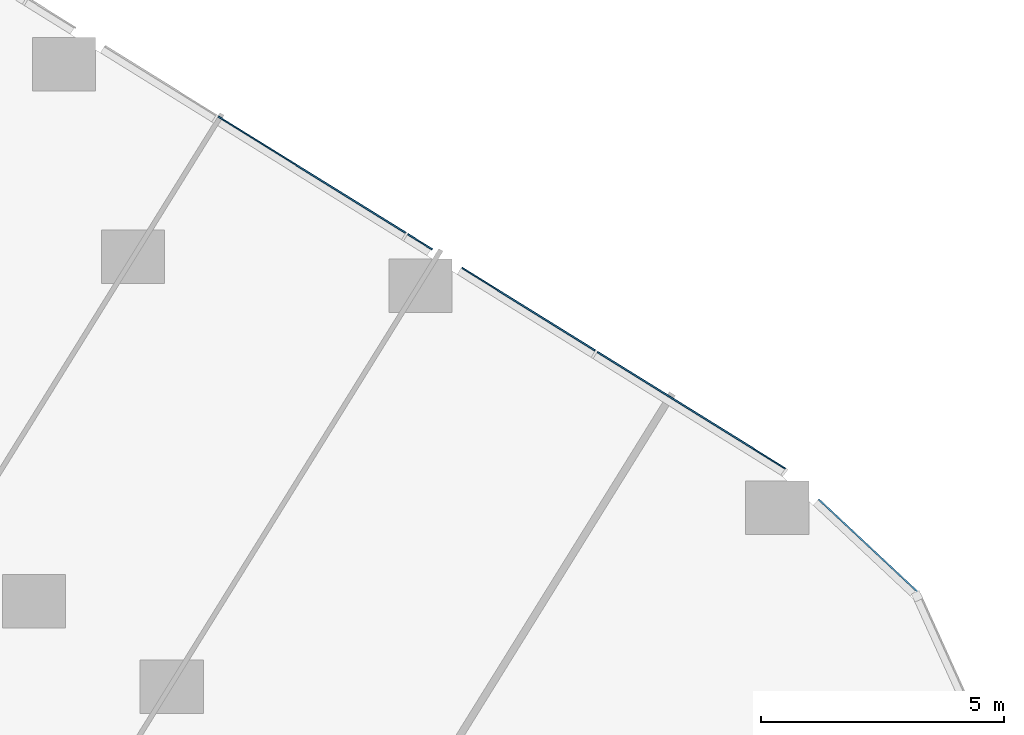
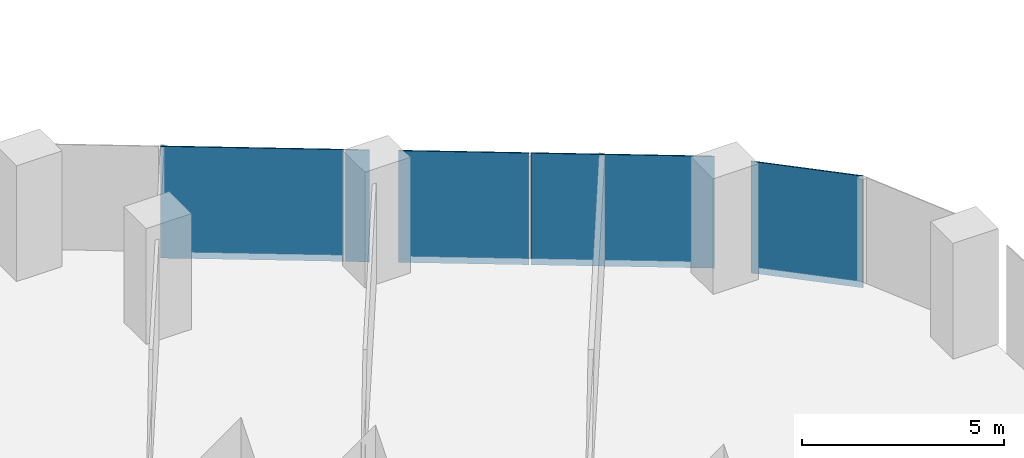
# One storey, part 24 of 34: 5 plates, 2 elements without a shape of their own.
"""IFC4 building model written with IfcOpenShell, lengths in metres."""

from ifc_helpers import new_model, si_unit, direction, frame, origin, origin_2d, place, context, subcontext, project, spatial, rectangle, extrude, material, layer, layer_set, type_object, element, aggregate, save


model = new_model("IFC4")

# Units and contexts
model_context = context("Model", 3, precision=1e-05, world=origin(), true_north=direction((0.0, 1.0)))
body_context = subcontext(model_context, "Body", "Model", "MODEL_VIEW")
ifc_project = project(units=[si_unit("LENGTHUNIT", "METRE"), si_unit("AREAUNIT", "SQUARE_METRE"), si_unit("VOLUMEUNIT", "CUBIC_METRE"), si_unit("PLANEANGLEUNIT", "RADIAN"), si_unit("MASSUNIT", "GRAM", prefix="KILO")], contexts=[model_context])

# Site, building, storey
site_placement = place(None, origin())
site = spatial("IfcSite", under=ifc_project, at=site_placement, CompositionType="ELEMENT")
building_placement = place(site_placement, origin())
building = spatial("IfcBuilding", under=site, at=building_placement, Name="Orlundy Tower", CompositionType="ELEMENT")
storey_placement = place(building_placement, frame((0.0, 0.0, 47.800048828125)))
storey = spatial("IfcBuildingStorey", under=building, at=storey_placement, Name="L10", CompositionType="ELEMENT", Elevation=47.800048828125)

# Curtain wall, plates
ifc_material_1 = material(Name="Aluminium bronze anodised", Category="aluminium")
curtain_wall_type = type_object("IfcCurtainWallType", Name="CW1 wall", PredefinedType="NOTDEFINED", material=ifc_material_1)
curtain_wall_1_placement = place(storey_placement, origin())
curtain_wall_1 = element("IfcCurtainWall", 1, at=curtain_wall_1_placement, inside=storey, type_object=curtain_wall_type, Name="CW1 run 06", PredefinedType="NOTDEFINED")
ifc_material_2 = material(Name="Tinted glass", Category="glass")
ifc_layer = layer(ifc_material_2, 0.031982421875)
ifc_layer_set = layer_set([ifc_layer], Name="CW1 glass panel 32")
plate_type = type_object("IfcPlateType", Name="CW1 glass panel 32", PredefinedType="CURTAIN_PANEL", material=ifc_layer_set)
plate_1_placement = place(storey_placement, frame((43.3681640625, -3.19091796875, -0.300048828125), z_axis=(0.0, 0.0, 1.0), x_axis=(0.849584043137, -0.527453271529, 0.0)))
plate_1 = element("IfcPlate", 2, at=plate_1_placement, type_object=plate_type, Name="CW1 panel", PredefinedType="CURTAIN_PANEL", context=body_context, shape_type="SweptSolid", body=[
    extrude(rectangle(XDim=4.538818359375, YDim=0.031982421875, at=origin_2d()), origin(), (0.0, 0.0, 1.0), 3.3798828125),
])
plate_2_placement = place(storey_placement, frame((45.591552734375, -4.571044921875, -0.300048828125), z_axis=(0.0, 0.0, 1.0), x_axis=(0.849584043137, -0.527453271529, 0.0)))
plate_2 = element("IfcPlate", 3, at=plate_2_placement, type_object=plate_type, Name="CW1 panel", PredefinedType="CURTAIN_PANEL", context=body_context, shape_type="SweptSolid", body=[
    extrude(rectangle(XDim=0.594970703125, YDim=0.031982421875, at=origin_2d()), origin(), (0.0, 0.0, 1.0), 3.3798828125),
])
plate_3_placement = place(storey_placement, frame((47.824462890625, -5.957275390625, -0.300048828125), z_axis=(0.0, 0.0, 1.0), x_axis=(0.849584043137, -0.527453271529, 0.0)))
plate_3 = element("IfcPlate", 4, at=plate_3_placement, type_object=plate_type, Name="CW1 panel", PredefinedType="CURTAIN_PANEL", context=body_context, shape_type="SweptSolid", body=[
    extrude(rectangle(XDim=3.22607421875, YDim=0.031982421875, at=origin_2d()), origin(), (0.0, 0.0, 1.0), 3.3798828125),
])
plate_4_placement = place(storey_placement, frame((51.172119140625, -8.03564453125, -0.300048828125), z_axis=(0.0, 0.0, 1.0), x_axis=(0.849584043137, -0.527453271529, 0.0)))
plate_4 = element("IfcPlate", 5, at=plate_4_placement, type_object=plate_type, Name="CW1 panel", PredefinedType="CURTAIN_PANEL", context=body_context, shape_type="SweptSolid", body=[
    extrude(rectangle(XDim=4.5546875, YDim=0.031982421875, at=origin_2d()), origin(), (0.0, 0.0, 1.0), 3.3798828125),
])
aggregate(curtain_wall_1, [plate_1, plate_2, plate_3, plate_4])

# Curtain wall, plate
curtain_wall_2_placement = place(storey_placement, origin())
curtain_wall_2 = element("IfcCurtainWall", 6, at=curtain_wall_2_placement, inside=storey, type_object=curtain_wall_type, Name="CW1 run 07", PredefinedType="NOTDEFINED")
plate_5_placement = place(storey_placement, frame((54.828857421875, -10.84033203125, -0.300048828125), z_axis=(0.0, 0.0, 1.0), x_axis=(0.730445026852, -0.682971494828, 0.0)))
plate_5 = element("IfcPlate", 7, at=plate_5_placement, type_object=plate_type, Name="CW1 panel", PredefinedType="CURTAIN_PANEL", context=body_context, shape_type="SweptSolid", body=[
    extrude(rectangle(XDim=2.85546875, YDim=0.031982421875, at=origin_2d()), origin(), (0.0, 0.0, 1.0), 3.3798828125),
])
aggregate(curtain_wall_2, [plate_5])

save(model, "model.ifc")
